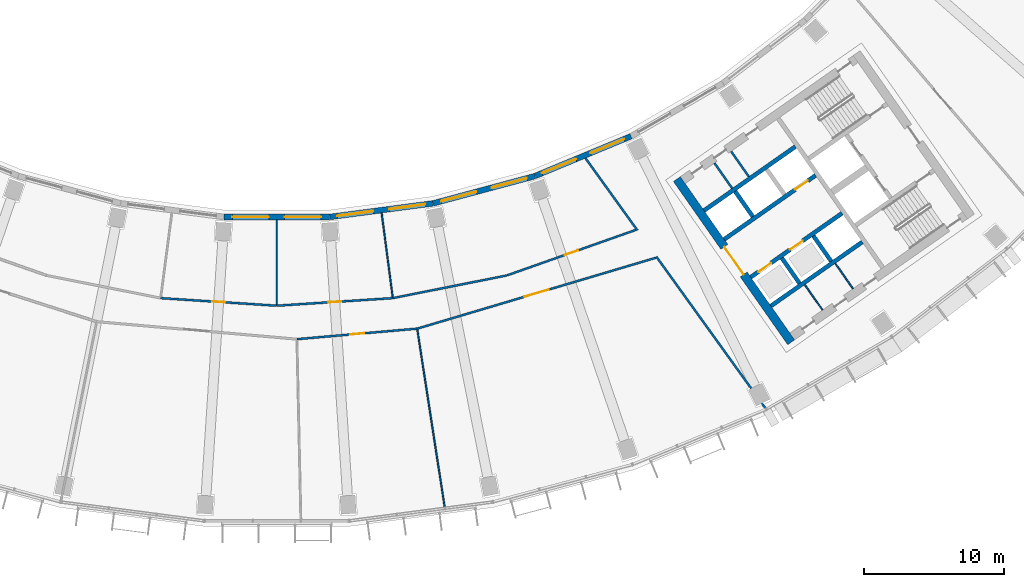
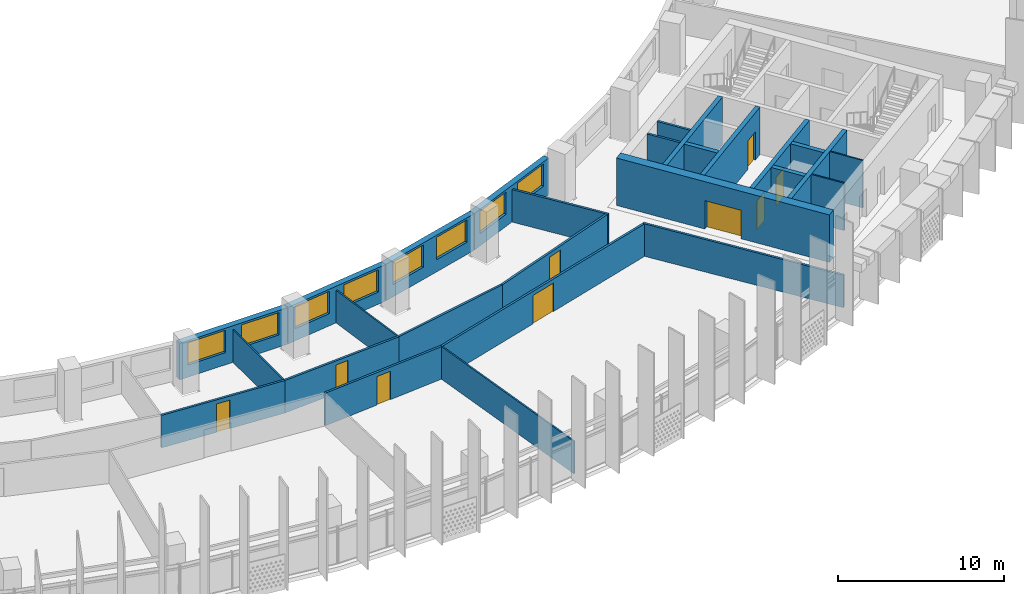
# One storey, part 5 of 31: 27 walls, 9 doors, 8 windows, 17 openings.
"""IFC4 building model written with IfcOpenShell, lengths in metres."""

import ifcopenshell
import ifcopenshell.guid

model = None  # the IFC model being written
_history = None  # IfcOwnerHistory: only IFC2X3 demands one
_inside = {}  # id of a spatial element -> (the spatial element, [elements in it])
_under = {}  # id of a project, library or spatial element -> (it, [spatial elements below it])
_declared = {}  # id of a project -> (the project, [libraries it declares])
_typed = {}  # id of a type object -> (the type object, [elements of that type])
_made_of = {}  # id of a material, layer set ... -> (it, [elements and type objects made of it])


def new_model(schema):
    """Start an empty IFC model of exactly this schema.

    Asked for "IFC4X3", IfcOpenShell would pick the latest addendum, in which some entities
    have other attributes; the version numbers below select the first issue.
    IFC2X3 requires an IfcOwnerHistory on every rooted entity: one is made here for all.
    """
    global model, _history
    if schema == "IFC4X3":
        model = ifcopenshell.file(schema_version=(4, 3, 0, 0))
    else:
        model = ifcopenshell.file(schema=schema)
    _inside.clear()
    _under.clear()
    _declared.clear()
    _typed.clear()
    _made_of.clear()
    _history = None
    if model.schema == "IFC2X3":
        org = make("IfcOrganization", Name="unknown")
        user = make(
            "IfcPersonAndOrganization",
            ThePerson=make("IfcPerson", FamilyName="unknown"),
            TheOrganization=org,
        )
        app = make(
            "IfcApplication",
            ApplicationDeveloper=org,
            Version="unknown",
            ApplicationFullName="unknown",
            ApplicationIdentifier="unknown",
        )
        _history = make(
            "IfcOwnerHistory",
            OwningUser=user,
            OwningApplication=app,
            ChangeAction="ADDED",
            CreationDate=0,
        )
    return model


def make(cls, **values):
    """One entity of the class cls with the attributes given. An attribute that is None is left unset."""
    return model.create_entity(
        cls, **{name: value for name, value in values.items() if value is not None}
    )


def rooted(cls, **values):
    """An entity with a GlobalId (a new one), such as an element, a storey or a relation."""
    return make(cls, GlobalId=ifcopenshell.guid.new(), OwnerHistory=_history, **values)


def si_unit(unit_type, name, prefix=None):
    """IfcSIUnit, for example si_unit("LENGTHUNIT", "METRE", prefix="MILLI")."""
    return make("IfcSIUnit", UnitType=unit_type, Prefix=prefix, Name=name)


def assignment(units):
    """IfcUnitAssignment: the units of a project."""
    return None if units is None else make("IfcUnitAssignment", Units=units)


def point(xyz):
    """IfcCartesianPoint."""
    return None if xyz is None else make("IfcCartesianPoint", Coordinates=xyz)


def direction(xyz):
    """IfcDirection."""
    return None if xyz is None else make("IfcDirection", DirectionRatios=xyz)


def frame(location, z_axis=None, x_axis=None):
    """IfcAxis2Placement3D, a coordinate frame: its origin and axes. An axis left out is left unset."""
    return make(
        "IfcAxis2Placement3D",
        Location=point(location),
        Axis=direction(z_axis),
        RefDirection=direction(x_axis),
    )


def frame_2d(location, x_axis=None):
    """IfcAxis2Placement2D, a coordinate frame in the plane: its origin and x axis."""
    return make(
        "IfcAxis2Placement2D", Location=point(location), RefDirection=direction(x_axis)
    )


def origin():
    """The frame at (0, 0, 0) with its axes left unset."""
    return frame((0.0, 0.0, 0.0))


def place(relative_to, where):
    """IfcLocalPlacement: puts the frame where relative to a parent placement (None: the world)."""
    return make(
        "IfcLocalPlacement", PlacementRelTo=relative_to, RelativePlacement=where
    )


def context(
    kind, dimensions, precision=None, world=None, true_north=None, identifier=None
):
    """IfcGeometricRepresentationContext, for example the 3D "Model" context."""
    return make(
        "IfcGeometricRepresentationContext",
        ContextIdentifier=identifier,
        ContextType=kind,
        CoordinateSpaceDimension=dimensions,
        Precision=precision,
        WorldCoordinateSystem=world,
        TrueNorth=true_north,
    )


def subcontext(parent, identifier, kind, view, scale=None):
    """IfcGeometricRepresentationSubContext, for example "Body" below "Model"."""
    return make(
        "IfcGeometricRepresentationSubContext",
        ContextIdentifier=identifier,
        ContextType=kind,
        ParentContext=parent,
        TargetScale=scale,
        TargetView=view,
    )


def project(units=None, contexts=None):
    """IfcProject with its units and contexts."""
    return rooted(
        "IfcProject",
        Name="project",
        RepresentationContexts=contexts,
        UnitsInContext=assignment(units),
    )


def spatial(cls, under=None, at=None, **own):
    """A site, building, storey or space (cls), placed at a placement, below another one or the project."""
    s = rooted(cls, ObjectPlacement=at, **own)
    if under is not None:
        _under.setdefault(under.id(), (under, []))[1].append(s)
    return s


def profile(cls, at=None, kind="AREA", **sizes):
    """A parametric profile (cls). Its sizes go by their IFC names, for example OverallWidth=200.0."""
    return make(cls, ProfileType=kind, Position=at, **sizes)


def rectangle(**sizes):
    """IfcRectangleProfileDef."""
    return profile("IfcRectangleProfileDef", **sizes)


def extrude(swept, where, along, depth):
    """IfcExtrudedAreaSolid: the profile swept, set in the frame where, extruded along a direction by depth."""
    return make(
        "IfcExtrudedAreaSolid",
        SweptArea=swept,
        Position=where,
        ExtrudedDirection=direction(along),
        Depth=depth,
    )


def shape(context_of_items, identifier, shape_type, items):
    """IfcShapeRepresentation: the items that make up one representation, for example the "Body"."""
    return make(
        "IfcShapeRepresentation",
        ContextOfItems=context_of_items,
        RepresentationIdentifier=identifier,
        RepresentationType=shape_type,
        Items=items,
    )


def material(Name=None, Category=None):
    """IfcMaterial."""
    return make("IfcMaterial", Name=Name, Category=Category)


def layer(
    of_material, thickness, ventilated=None, Name=None, Category=None, Priority=None
):
    """IfcMaterialLayer: one layer of a wall or slab, of a material (None: an air gap)."""
    return make(
        "IfcMaterialLayer",
        Material=of_material,
        LayerThickness=thickness,
        IsVentilated=ventilated,
        Name=Name,
        Category=Category,
        Priority=Priority,
    )


def layer_set(layers, Name=None):
    """IfcMaterialLayerSet."""
    return make("IfcMaterialLayerSet", MaterialLayers=layers, LayerSetName=Name)


def made_of(thing, what):
    """Note that an element or type object is made of a material, layer set ...; save() writes the relation."""
    if what is not None:
        _made_of.setdefault(what.id(), (what, []))[1].append(thing)
    return thing


def type_object(cls, material=None, **own):
    """A type object (cls), such as IfcWallType, which elements share."""
    return made_of(rooted(cls, **own), material)


def element(
    cls,
    number,
    at=None,
    inside=None,
    cuts=None,
    type_object=None,
    material=None,
    context=None,
    identifier="Body",
    shape_type=None,
    held_by="IfcProductDefinitionShape",
    body=None,
    shapes=None,
    **own,
):
    """One element of the class cls, such as IfcWall. Its Tag is "e" and its number.

    at: its placement. inside: the storey or other place that contains it. cuts: it is an
    opening in that element (IfcRelVoidsElement). A single representation is given by context,
    identifier, shape_type and body (its items); several are given by shapes. held_by: the class
    of the entity that holds the representations. save() writes the other relations.
    """
    e = rooted(cls, Tag="e%d" % number, ObjectPlacement=at, **own)
    if body is not None:
        shapes = [shape(context, identifier, shape_type, body)]
    if shapes is not None:
        e.Representation = make(held_by, Representations=shapes)
    if inside is not None:
        _inside.setdefault(inside.id(), (inside, []))[1].append(e)
    if cuts is not None:
        rooted(
            "IfcRelVoidsElement", RelatingBuildingElement=cuts, RelatedOpeningElement=e
        )
    if type_object is not None:
        _typed.setdefault(type_object.id(), (type_object, []))[1].append(e)
    return made_of(e, material)


def fill(opening, filler):
    """IfcRelFillsElement: the door or window that sits in an opening."""
    return rooted(
        "IfcRelFillsElement",
        RelatingOpeningElement=opening,
        RelatedBuildingElement=filler,
    )


def aggregate(whole, parts):
    """IfcRelAggregates: a whole, such as a stair, and the parts it consists of."""
    return rooted("IfcRelAggregates", RelatingObject=whole, RelatedObjects=parts)


def save(model, path):
    """Write the relations noted so far, then the file.

    IfcRelAggregates (storeys below a building ...), IfcRelContainedInSpatialStructure (elements
    in a storey), IfcRelDefinesByType, IfcRelAssociatesMaterial and IfcRelDeclares: one each for
    every whole, place, type object, material and project.
    """
    for whole, parts in _under.values():
        aggregate(whole, parts)
    for where, things in _inside.values():
        rooted(
            "IfcRelContainedInSpatialStructure",
            RelatedElements=things,
            RelatingStructure=where,
        )
    for kind, things in _typed.values():
        rooted("IfcRelDefinesByType", RelatedObjects=things, RelatingType=kind)
    for what, things in _made_of.values():
        rooted("IfcRelAssociatesMaterial", RelatedObjects=things, RelatingMaterial=what)
    for by, libraries in _declared.values():
        rooted("IfcRelDeclares", RelatingContext=by, RelatedDefinitions=libraries)
    model.write(path)


model = new_model("IFC4")

# Units and contexts
model_context = context("Model", 3, precision=1e-05, world=origin(), true_north=direction((0.0, 1.0)))
body_context = subcontext(model_context, "Body", "Model", "MODEL_VIEW")
ifc_project = project(units=[si_unit("LENGTHUNIT", "METRE"), si_unit("AREAUNIT", "SQUARE_METRE"), si_unit("VOLUMEUNIT", "CUBIC_METRE"), si_unit("PLANEANGLEUNIT", "RADIAN"), si_unit("MASSUNIT", "GRAM", prefix="KILO")], contexts=[model_context])

# Site, building, storey
site_placement = place(None, origin())
site = spatial("IfcSite", under=ifc_project, at=site_placement, CompositionType="ELEMENT")
building_placement = place(site_placement, origin())
building = spatial("IfcBuilding", under=site, at=building_placement, Name="Qamariyya Broadcast Tower", CompositionType="ELEMENT")
storey_placement = place(building_placement, frame((0.0, 0.0, 149.300048828125)))
storey = spatial("IfcBuildingStorey", under=building, at=storey_placement, Name="L34", CompositionType="ELEMENT", Elevation=149.300048828125)

# Wall, opening, door
ifc_material_1 = material(Name="Concrete C60/75", Category="concrete")
ifc_layer_1 = layer(ifc_material_1, 0.60009765625)
ifc_layer_set_1 = layer_set([ifc_layer_1], Name="Core wall 600 mm Concrete C60/75")
wall_type_1 = type_object("IfcWallType", Name="Core wall 600 mm Concrete C60/75", PredefinedType="SHEAR", material=ifc_layer_set_1)
wall_1_placement = place(storey_placement, frame((36.66748046875, -66.005126953125, 0.0), z_axis=(0.0, 0.0, 1.0), x_axis=(-0.573568499524, 0.819157601658, 0.0)))
wall_1 = element("IfcWall", 1, at=wall_1_placement, inside=storey, type_object=wall_type_1, Name="k-E-L34-WA", PredefinedType="SHEAR", context=body_context, shape_type="SweptSolid", body=[
    extrude(rectangle(XDim=14.19970703125, YDim=0.60009765625, at=frame_2d((7.099853515625, 0.0))), origin(), (0.0, 0.0, 1.0), 3.5),
])
opening_1_placement = place(wall_1_placement, frame((5.89990234375, 0.0, 0.0)))
opening_1 = element("IfcOpeningElement", 2, at=opening_1_placement, cuts=wall_1, Name="Opening KD3-E1", PredefinedType="OPENING", context=body_context, shape_type="SweptSolid", body=[
    extrude(rectangle(XDim=2.39990234375, YDim=2.10009765625, at=frame_2d((1.199951171875, 1.050048828125))), frame((0.0, 0.31005859375, 0.0), z_axis=(0.0, -1.0, 0.0), x_axis=(1.0, 0.0, 0.0)), (0.0, 0.0, 1.0), 0.6201171875),
])
ifc_material_2 = material(Name="Steel fire-resisting door leaf", Category="steel")
door_type_1 = type_object("IfcDoorType", Name="Lift lobby door KD3", OperationType="DOUBLE_DOOR_SINGLE_SWING", PredefinedType="DOOR", material=ifc_material_2)
door_1_placement = place(opening_1_placement, origin())
door_1 = element("IfcDoor", 3, at=door_1_placement, inside=storey, type_object=door_type_1, Name="k-E-L34-WA-D1", OperationType="DOUBLE_DOOR_SINGLE_SWING", OverallHeight=2.10009765625, OverallWidth=2.39990234375, PredefinedType="DOOR", context=body_context, shape_type="SweptSolid", body=[
    extrude(rectangle(XDim=2.39990234375, YDim=2.10009765625, at=frame_2d((1.199951171875, 1.050048828125))), frame((0.0, 0.02490234375, 0.0), z_axis=(0.0, -1.0, 0.0), x_axis=(1.0, 0.0, 0.0)), (0.0, 0.0, 1.0), 0.050048828125),
])
fill(opening_1, door_1)

ifc_material_3 = material(Name="Gypsum board partition")
ifc_layer_2 = layer(ifc_material_3, 0.14990234375)
ifc_layer_set_2 = layer_set([ifc_layer_2], Name="Corridor partition 150 EI 60")
wall_type_2 = type_object("IfcWallType", Name="Corridor partition 150 EI 60", PredefinedType="PARTITIONING", material=ifc_layer_set_2)
wall_2_placement = place(storey_placement, frame((-8.275390625, -62.857666015625, 0.0), z_axis=(0.0, 0.0, 1.0), x_axis=(0.997860193426, -0.065383747038, 0.0)))
wall_2 = element("IfcWall", 4, at=wall_2_placement, inside=storey, type_object=wall_type_2, Name="Partition L34-009", PredefinedType="PARTITIONING", context=body_context, shape_type="SweptSolid", body=[
    extrude(rectangle(XDim=8.293212890625, YDim=0.14990234375, at=frame_2d((4.146484375, 0.0))), origin(), (0.0, 0.0, 1.0), 2.39990234375),
])
opening_2_placement = place(wall_2_placement, frame((3.696533203125, 0.0, 0.0)))
opening_2 = element("IfcOpeningElement", 5, at=opening_2_placement, cuts=wall_2, Name="Opening L34-D06", PredefinedType="OPENING", context=body_context, shape_type="SweptSolid", body=[
    extrude(rectangle(XDim=0.89990234375, YDim=2.10009765625, at=frame_2d((0.449951171875, 1.050048828125))), frame((0.0, 0.0849609375, 0.0), z_axis=(0.0, -1.0, 0.0), x_axis=(1.0, 0.0, 0.0)), (0.0, 0.0, 1.0), 0.169921875),
])
ifc_material_4 = material(Name="Timber fire door leaf", Category="wood")
door_type_2 = type_object("IfcDoorType", Name="Fire door 900 x 2100 FD60", OperationType="NOTDEFINED", PredefinedType="DOOR", material=ifc_material_4)
door_2_placement = place(opening_2_placement, origin())
door_2 = element("IfcDoor", 6, at=door_2_placement, inside=storey, type_object=door_type_2, Name="Door L34-D06", OperationType="SINGLE_SWING_RIGHT", OverallHeight=2.10009765625, OverallWidth=0.89990234375, PredefinedType="DOOR", context=body_context, shape_type="SweptSolid", body=[
    extrude(rectangle(XDim=0.89990234375, YDim=2.10009765625, at=frame_2d((0.449951171875, 1.050048828125))), frame((0.0, 0.02490234375, 0.0), z_axis=(0.0, -1.0, 0.0), x_axis=(1.0, 0.0, 0.0)), (0.0, 0.0, 1.0), 0.050048828125),
])
fill(opening_2, door_2)

wall_3_placement = place(storey_placement, frame((0.0, -63.39990234375, 0.0), z_axis=(0.0, 0.0, 1.0), x_axis=(0.997860193426, 0.065383747038, 0.0)))
wall_3 = element("IfcWall", 7, at=wall_3_placement, inside=storey, type_object=wall_type_2, Name="Partition L34-011", PredefinedType="PARTITIONING", context=body_context, shape_type="SweptSolid", body=[
    extrude(rectangle(XDim=8.293212890625, YDim=0.14990234375, at=frame_2d((4.146484375, 0.0))), origin(), (0.0, 0.0, 1.0), 2.39990234375),
])
opening_3_placement = place(wall_3_placement, frame((3.696533203125, 0.0, 0.0)))
opening_3 = element("IfcOpeningElement", 8, at=opening_3_placement, cuts=wall_3, Name="Opening L34-D07", PredefinedType="OPENING", context=body_context, shape_type="SweptSolid", body=[
    extrude(rectangle(XDim=0.89990234375, YDim=2.10009765625, at=frame_2d((0.449951171875, 1.050048828125))), frame((0.0, 0.0849609375, 0.0), z_axis=(0.0, -1.0, 0.0), x_axis=(1.0, 0.0, 0.0)), (0.0, 0.0, 1.0), 0.169921875),
])
door_3_placement = place(opening_3_placement, origin())
door_3 = element("IfcDoor", 9, at=door_3_placement, inside=storey, type_object=door_type_2, Name="Door L34-D07", OperationType="SINGLE_SWING_RIGHT", OverallHeight=2.10009765625, OverallWidth=0.89990234375, PredefinedType="DOOR", context=body_context, shape_type="SweptSolid", body=[
    extrude(rectangle(XDim=0.89990234375, YDim=2.10009765625, at=frame_2d((0.449951171875, 1.050048828125))), frame((0.0, 0.02490234375, 0.0), z_axis=(0.0, -1.0, 0.0), x_axis=(1.0, 0.0, 0.0)), (0.0, 0.0, 1.0), 0.050048828125),
])
fill(opening_3, door_3)

wall_4_placement = place(storey_placement, frame((10.011474609375, -65.033935546875, 0.0), z_axis=(0.0, 0.0, 1.0), x_axis=(-0.996193717496, -0.087166950281, 0.0)))
wall_4 = element("IfcWall", 10, at=wall_4_placement, inside=storey, type_object=wall_type_2, Name="Partition L34-013", PredefinedType="PARTITIONING", context=body_context, shape_type="SweptSolid", body=[
    extrude(rectangle(XDim=8.60693359375, YDim=0.14990234375, at=frame_2d((4.303466796875, 0.0))), origin(), (0.0, 0.0, 1.0), 2.39990234375),
])
opening_4_placement = place(wall_4_placement, frame((3.803466796875, 0.0, 0.0)))
opening_4 = element("IfcOpeningElement", 11, at=opening_4_placement, cuts=wall_4, Name="Opening L34-D03", PredefinedType="OPENING", context=body_context, shape_type="SweptSolid", body=[
    extrude(rectangle(XDim=1.0, YDim=2.10009765625, at=frame_2d((0.5, 1.050048828125))), frame((0.0, 0.0849609375, 0.0), z_axis=(0.0, -1.0, 0.0), x_axis=(1.0, 0.0, 0.0)), (0.0, 0.0, 1.0), 0.169921875),
])
door_type_3 = type_object("IfcDoorType", Name="Fire door 1000 x 2100 FD60", OperationType="NOTDEFINED", PredefinedType="DOOR", material=ifc_material_4)
door_4_placement = place(opening_4_placement, origin())
door_4 = element("IfcDoor", 12, at=door_4_placement, inside=storey, type_object=door_type_3, Name="Door L34-D03", OperationType="SINGLE_SWING_RIGHT", OverallHeight=2.10009765625, OverallWidth=1.0, PredefinedType="DOOR", context=body_context, shape_type="SweptSolid", body=[
    extrude(rectangle(XDim=1.0, YDim=2.10009765625, at=frame_2d((0.5, 1.050048828125))), frame((0.0, 0.02490234375, 0.0), z_axis=(0.0, -1.0, 0.0), x_axis=(1.0, 0.0, 0.0)), (0.0, 0.0, 1.0), 0.050048828125),
])
fill(opening_4, door_4)

# Wall
wall_5_placement = place(storey_placement, frame((8.275390625, -62.857666015625, 0.0), z_axis=(0.0, 0.0, 1.0), x_axis=(0.980780777209, 0.195112959735, 0.0)))
element("IfcWall", 13, at=wall_5_placement, inside=storey, type_object=wall_type_2, Name="Partition L34-016", PredefinedType="PARTITIONING", context=body_context, shape_type="SweptSolid", body=[
    extrude(rectangle(XDim=8.28466796875, YDim=0.14990234375, at=frame_2d((4.142333984375, 0.0))), origin(), (0.0, 0.0, 1.0), 2.39990234375),
])

# Wall, opening, door
wall_6_placement = place(storey_placement, frame((27.02880859375, -59.981201171875, 0.0), z_axis=(0.0, 0.0, 1.0), x_axis=(-0.958635901926, -0.284635218373, 0.0)))
wall_6 = element("IfcWall", 14, at=wall_6_placement, inside=storey, type_object=wall_type_2, Name="Partition L34-017", PredefinedType="PARTITIONING", context=body_context, shape_type="SweptSolid", body=[
    extrude(rectangle(XDim=17.751708984375, YDim=0.14990234375, at=frame_2d((8.8759765625, 0.0))), origin(), (0.0, 0.0, 1.0), 2.39990234375),
])
opening_5_placement = place(wall_6_placement, frame((7.975830078125, 0.0, 0.0)))
opening_5 = element("IfcOpeningElement", 15, at=opening_5_placement, cuts=wall_6, Name="Opening L34-D04", PredefinedType="OPENING", context=body_context, shape_type="SweptSolid", body=[
    extrude(rectangle(XDim=1.800048828125, YDim=2.10009765625, at=frame_2d((0.89990234375, 1.050048828125))), frame((0.0, 0.0849609375, 0.0), z_axis=(0.0, -1.0, 0.0), x_axis=(1.0, 0.0, 0.0)), (0.0, 0.0, 1.0), 0.169921875),
])
door_type_4 = type_object("IfcDoorType", Name="Double fire door 1800 x 2100 FD60", OperationType="NOTDEFINED", PredefinedType="DOOR", material=ifc_material_4)
door_5_placement = place(opening_5_placement, origin())
door_5 = element("IfcDoor", 16, at=door_5_placement, inside=storey, type_object=door_type_4, Name="Door L34-D04", OperationType="DOUBLE_DOOR_SINGLE_SWING", OverallHeight=2.10009765625, OverallWidth=1.800048828125, PredefinedType="DOOR", context=body_context, shape_type="SweptSolid", body=[
    extrude(rectangle(XDim=1.800048828125, YDim=2.10009765625, at=frame_2d((0.89990234375, 1.050048828125))), frame((0.0, 0.02490234375, 0.0), z_axis=(0.0, -1.0, 0.0), x_axis=(1.0, 0.0, 0.0)), (0.0, 0.0, 1.0), 0.050048828125),
])
fill(opening_5, door_5)

wall_7_placement = place(storey_placement, frame((16.4169921875, -61.23681640625, 0.0), z_axis=(0.0, 0.0, 1.0), x_axis=(0.942982926679, 0.332841103219, 0.0)))
wall_7 = element("IfcWall", 17, at=wall_7_placement, inside=storey, type_object=wall_type_2, Name="Partition L34-019", PredefinedType="PARTITIONING", context=body_context, shape_type="SweptSolid", body=[
    extrude(rectangle(XDim=9.736572265625, YDim=0.14990234375, at=frame_2d((4.8681640625, 0.0))), origin(), (0.0, 0.0, 1.0), 2.39990234375),
])
opening_6_placement = place(wall_7_placement, frame((4.368408203125, 0.0, 0.0)))
opening_6 = element("IfcOpeningElement", 18, at=opening_6_placement, cuts=wall_7, Name="Opening L34-D08", PredefinedType="OPENING", context=body_context, shape_type="SweptSolid", body=[
    extrude(rectangle(XDim=1.0, YDim=2.10009765625, at=frame_2d((0.5, 1.050048828125))), frame((0.0, 0.0849609375, 0.0), z_axis=(0.0, -1.0, 0.0), x_axis=(1.0, 0.0, 0.0)), (0.0, 0.0, 1.0), 0.169921875),
])
door_6_placement = place(opening_6_placement, origin())
door_6 = element("IfcDoor", 19, at=door_6_placement, inside=storey, type_object=door_type_3, Name="Door L34-D08", OperationType="SINGLE_SWING_RIGHT", OverallHeight=2.10009765625, OverallWidth=1.0, PredefinedType="DOOR", context=body_context, shape_type="SweptSolid", body=[
    extrude(rectangle(XDim=1.0, YDim=2.10009765625, at=frame_2d((0.5, 1.050048828125))), frame((0.0, 0.02490234375, 0.0), z_axis=(0.0, -1.0, 0.0), x_axis=(1.0, 0.0, 0.0)), (0.0, 0.0, 1.0), 0.050048828125),
])
fill(opening_6, door_6)

# Walls
wall_8_placement = place(storey_placement, frame((22.0, -52.873046875, 0.0), z_axis=(0.0, 0.0, 1.0), x_axis=(0.58417014289, -0.811631224236, 0.0)))
element("IfcWall", 20, at=wall_8_placement, inside=storey, type_object=wall_type_2, Name="Partition L34-020", PredefinedType="PARTITIONING", context=body_context, shape_type="SweptSolid", body=[
    extrude(rectangle(XDim=6.356201171875, YDim=0.14990234375, at=frame_2d((3.17822265625, 0.0))), origin(), (0.0, 0.0, 1.0), 2.39990234375),
])
wall_9_placement = place(storey_placement, frame((27.056884765625, -59.899169921875, 0.0), z_axis=(0.0, 0.0, 1.0), x_axis=(0.584166374063, -0.81163393683, 0.0)))
element("IfcWall", 21, at=wall_9_placement, inside=storey, type_object=wall_type_2, Name="Partition L34-021", PredefinedType="PARTITIONING", context=body_context, shape_type="SweptSolid", body=[
    extrude(rectangle(XDim=13.296142578125, YDim=0.14990234375, at=frame_2d((6.64794921875, 0.0))), origin(), (0.0, 0.0, 1.0), 2.39990234375),
])
ifc_material_5 = material(Name="Gypsum board partition on steel studs", Category="steel")
ifc_layer_3 = layer(ifc_material_5, 0.14990234375)
ifc_layer_set_3 = layer_set([ifc_layer_3], Name="Gypsum board partition 150 mm")
wall_type_3 = type_object("IfcWallType", Name="Gypsum board partition 150 mm", PredefinedType="PARTITIONING", material=ifc_layer_set_3)
wall_10_placement = place(storey_placement, frame((32.46337890625, -55.0322265625, 0.0), z_axis=(0.0, 0.0, 1.0), x_axis=(-0.573507030513, 0.819200638399, 0.0)))
element("IfcWall", 22, at=wall_10_placement, inside=storey, type_object=wall_type_3, Name="k-E-L34-NP255", PredefinedType="PARTITIONING", context=body_context, shape_type="SweptSolid", body=[
    extrude(rectangle(XDim=2.199951171875, YDim=0.14990234375, at=frame_2d((1.10009765625, 0.0))), origin(), (0.0, 0.0, 1.0), 3.5),
])
wall_11_placement = place(storey_placement, frame((33.651123046875, -54.200439453125, 0.0), z_axis=(0.0, 0.0, 1.0), x_axis=(-0.573559170999, 0.819164133348, 0.0)))
element("IfcWall", 23, at=wall_11_placement, inside=storey, type_object=wall_type_3, Name="k-E-L34-NP400", PredefinedType="PARTITIONING", context=body_context, shape_type="SweptSolid", body=[
    extrude(rectangle(XDim=2.19970703125, YDim=0.14990234375, at=frame_2d((1.099853515625, 0.0))), origin(), (0.0, 0.0, 1.0), 3.5),
])

# Wall, opening, door
ifc_layer_4 = layer(ifc_material_1, 0.300048828125)
ifc_layer_set_4 = layer_set([ifc_layer_4], Name="Lift shaft wall 300 mm Concrete C60/75")
wall_type_4 = type_object("IfcWallType", Name="Lift shaft wall 300 mm Concrete C60/75", PredefinedType="SOLIDWALL", material=ifc_layer_set_4)
wall_12_placement = place(storey_placement, frame((31.89453125, -58.66552734375, 0.0), z_axis=(0.0, 0.0, 1.0), x_axis=(0.819166993208, 0.573555086491, 0.0)))
wall_12 = element("IfcWall", 24, at=wall_12_placement, inside=storey, type_object=wall_type_4, Name="k-E-L34-NF0", PredefinedType="SOLIDWALL", context=body_context, shape_type="SweptSolid", body=[
    extrude(rectangle(XDim=7.9501953125, YDim=0.300048828125, at=frame_2d((3.97509765625, 0.0))), origin(), (0.0, 0.0, 1.0), 3.5),
])
opening_7_placement = place(wall_12_placement, frame((6.175048828125, 0.0, 0.0)))
opening_7 = element("IfcOpeningElement", 25, at=opening_7_placement, cuts=wall_12, Name="Opening LD", PredefinedType="OPENING", context=body_context, shape_type="SweptSolid", body=[
    extrude(rectangle(XDim=1.10009765625, YDim=2.10009765625, at=frame_2d((0.550048828125, 1.050048828125))), frame((0.0, 0.159912109375, 0.0), z_axis=(0.0, -1.0, 0.0), x_axis=(1.0, 0.0, 0.0)), (0.0, 0.0, 1.0), 0.320068359375),
])
door_type_5 = type_object("IfcDoorType", Name="Lift landing door LD", OperationType="DOUBLE_DOOR_SLIDING", PredefinedType="DOOR", material=ifc_material_2)
door_7_placement = place(opening_7_placement, origin())
door_7 = element("IfcDoor", 26, at=door_7_placement, inside=storey, type_object=door_type_5, Name="k-E-L34-NF0-D2", OperationType="DOUBLE_DOOR_SLIDING", OverallHeight=2.10009765625, OverallWidth=1.10009765625, PredefinedType="DOOR", context=body_context, shape_type="SweptSolid", body=[
    extrude(rectangle(XDim=1.10009765625, YDim=2.10009765625, at=frame_2d((0.550048828125, 1.050048828125))), frame((0.0, 0.02490234375, 0.0), z_axis=(0.0, -1.0, 0.0), x_axis=(1.0, 0.0, 0.0)), (0.0, 0.0, 1.0), 0.050048828125),
])
fill(opening_7, door_7)

# Walls
wall_13_placement = place(storey_placement, frame((30.460693359375, -56.61767578125, 0.0), z_axis=(0.0, 0.0, 1.0), x_axis=(0.819142461705, 0.573590121456, 0.0)))
element("IfcWall", 27, at=wall_13_placement, inside=storey, type_object=wall_type_4, Name="k-E-L34-NB0", PredefinedType="SOLIDWALL", context=body_context, shape_type="SweptSolid", body=[
    extrude(rectangle(XDim=7.949951171875, YDim=0.300048828125, at=frame_2d((3.97509765625, 0.0))), origin(), (0.0, 0.0, 1.0), 3.5),
])
wall_14_placement = place(storey_placement, frame((33.9384765625, -57.051513671875, 0.0), z_axis=(0.0, 0.0, 1.0), x_axis=(-0.573581496053, 0.819148501424, 0.0)))
element("IfcWall", 28, at=wall_14_placement, inside=storey, type_object=wall_type_4, Name="k-E-L34-ND0", PredefinedType="SOLIDWALL", context=body_context, shape_type="SweptSolid", body=[
    extrude(rectangle(XDim=2.2001953125, YDim=0.300048828125, at=frame_2d((1.10009765625, 0.0))), origin(), (0.0, 0.0, 1.0), 3.5),
])

# Wall, openings, doors
wall_15_placement = place(storey_placement, frame((33.787353515625, -61.368896484375, 0.0), z_axis=(0.0, 0.0, 1.0), x_axis=(0.819152564888, 0.573575692858, 0.0)))
wall_15 = element("IfcWall", 29, at=wall_15_placement, inside=storey, type_object=wall_type_4, Name="k-E-L34-SF0", PredefinedType="SOLIDWALL", context=body_context, shape_type="SweptSolid", body=[
    extrude(rectangle(XDim=7.9501953125, YDim=0.300048828125, at=frame_2d((3.97509765625, 0.0))), origin(), (0.0, 0.0, 1.0), 3.5),
])
opening_8_placement = place(wall_15_placement, frame((0.675048828125, 0.0, 0.0)))
opening_8 = element("IfcOpeningElement", 30, at=opening_8_placement, cuts=wall_15, Name="Opening LD", PredefinedType="OPENING", context=body_context, shape_type="SweptSolid", body=[
    extrude(rectangle(XDim=1.10009765625, YDim=2.10009765625, at=frame_2d((0.550048828125, 1.050048828125))), frame((0.0, 0.159912109375, 0.0), z_axis=(0.0, -1.0, 0.0), x_axis=(1.0, 0.0, 0.0)), (0.0, 0.0, 1.0), 0.320068359375),
])
opening_9_placement = place(wall_15_placement, frame((3.425048828125, 0.0, 0.0)))
opening_9 = element("IfcOpeningElement", 31, at=opening_9_placement, cuts=wall_15, Name="Opening LD", PredefinedType="OPENING", context=body_context, shape_type="SweptSolid", body=[
    extrude(rectangle(XDim=1.10009765625, YDim=2.10009765625, at=frame_2d((0.550048828125, 1.050048828125))), frame((0.0, 0.159912109375, 0.0), z_axis=(0.0, -1.0, 0.0), x_axis=(1.0, 0.0, 0.0)), (0.0, 0.0, 1.0), 0.320068359375),
])
door_8_placement = place(opening_8_placement, origin())
door_8 = element("IfcDoor", 32, at=door_8_placement, inside=storey, type_object=door_type_5, Name="k-E-L34-SF0-D3", OperationType="DOUBLE_DOOR_SLIDING", OverallHeight=2.10009765625, OverallWidth=1.10009765625, PredefinedType="DOOR", context=body_context, shape_type="SweptSolid", body=[
    extrude(rectangle(XDim=1.10009765625, YDim=2.10009765625, at=frame_2d((0.550048828125, 1.050048828125))), frame((0.0, 0.02490234375, 0.0), z_axis=(0.0, -1.0, 0.0), x_axis=(1.0, 0.0, 0.0)), (0.0, 0.0, 1.0), 0.050048828125),
])
fill(opening_8, door_8)
door_9_placement = place(opening_9_placement, origin())
door_9 = element("IfcDoor", 33, at=door_9_placement, inside=storey, type_object=door_type_5, Name="k-E-L34-SF0-D4", OperationType="DOUBLE_DOOR_SLIDING", OverallHeight=2.10009765625, OverallWidth=1.10009765625, PredefinedType="DOOR", context=body_context, shape_type="SweptSolid", body=[
    extrude(rectangle(XDim=1.10009765625, YDim=2.10009765625, at=frame_2d((0.550048828125, 1.050048828125))), frame((0.0, 0.02490234375, 0.0), z_axis=(0.0, -1.0, 0.0), x_axis=(1.0, 0.0, 0.0)), (0.0, 0.0, 1.0), 0.050048828125),
])
fill(opening_9, door_9)

# Walls
wall_16_placement = place(storey_placement, frame((35.22119140625, -63.41650390625, 0.0), z_axis=(0.0, 0.0, 1.0), x_axis=(0.819166993208, 0.573555086491, 0.0)))
element("IfcWall", 34, at=wall_16_placement, inside=storey, type_object=wall_type_4, Name="k-E-L34-SB0", PredefinedType="SOLIDWALL", context=body_context, shape_type="SweptSolid", body=[
    extrude(rectangle(XDim=7.9501953125, YDim=0.300048828125, at=frame_2d((3.97509765625, 0.0))), origin(), (0.0, 0.0, 1.0), 3.5),
])
wall_17_placement = place(storey_placement, frame((36.003173828125, -60.000244140625, 0.0), z_axis=(0.0, 0.0, 1.0), x_axis=(0.573581496053, -0.819148501424, 0.0)))
element("IfcWall", 35, at=wall_17_placement, inside=storey, type_object=wall_type_4, Name="k-E-L34-SD0", PredefinedType="SOLIDWALL", context=body_context, shape_type="SweptSolid", body=[
    extrude(rectangle(XDim=2.2001953125, YDim=0.300048828125, at=frame_2d((1.10009765625, 0.0))), origin(), (0.0, 0.0, 1.0), 3.5),
])
wall_18_placement = place(storey_placement, frame((38.255859375, -58.423095703125, 0.0), z_axis=(0.0, 0.0, 1.0), x_axis=(0.573633636671, -0.819111989218, 0.0)))
element("IfcWall", 36, at=wall_18_placement, inside=storey, type_object=wall_type_4, Name="k-E-L34-SD1", PredefinedType="SOLIDWALL", context=body_context, shape_type="SweptSolid", body=[
    extrude(rectangle(XDim=2.199951171875, YDim=0.300048828125, at=frame_2d((1.10009765625, 0.0))), origin(), (0.0, 0.0, 1.0), 3.5),
])
ifc_layer_5 = layer(ifc_material_3, 0.10009765625)
ifc_layer_set_5 = layer_set([ifc_layer_5], Name="Partition 100")
wall_type_5 = type_object("IfcWallType", Name="Partition 100", PredefinedType="PARTITIONING", material=ifc_layer_set_5)
wall_19_placement = place(storey_placement, frame((0.0, -57.278076171875, 0.0), z_axis=(0.0, 0.0, 1.0), x_axis=(0.0, -1.0, 0.0)))
element("IfcWall", 37, at=wall_19_placement, inside=storey, type_object=wall_type_5, Name="Partition L34-012", PredefinedType="PARTITIONING", context=body_context, shape_type="SweptSolid", body=[
    extrude(rectangle(XDim=6.046875, YDim=0.10009765625, at=frame_2d((3.0234375, 0.0))), origin(), (0.0, 0.0, 1.0), 2.39990234375),
])
wall_20_placement = place(storey_placement, frame((7.476318359375, -56.787841796875, 0.0), z_axis=(0.0, 0.0, 1.0), x_axis=(0.130526573864, -0.991444811129, 0.0)))
element("IfcWall", 38, at=wall_20_placement, inside=storey, type_object=wall_type_5, Name="Partition L34-015", PredefinedType="PARTITIONING", context=body_context, shape_type="SweptSolid", body=[
    extrude(rectangle(XDim=6.047119140625, YDim=0.10009765625, at=frame_2d((3.0234375, 0.0))), origin(), (0.0, 0.0, 1.0), 2.39990234375),
])
wall_21_placement = place(storey_placement, frame((11.966552734375, -77.73388671875, 0.0), z_axis=(0.0, 0.0, 1.0), x_axis=(-0.152147660046, 0.988357774059, 0.0)))
element("IfcWall", 39, at=wall_21_placement, inside=storey, type_object=wall_type_5, Name="Partition L34-018", PredefinedType="PARTITIONING", context=body_context, shape_type="SweptSolid", body=[
    extrude(rectangle(XDim=12.7744140625, YDim=0.10009765625, at=frame_2d((6.38720703125, 0.0))), origin(), (0.0, 0.0, 1.0), 2.39990234375),
])
ifc_material_6 = material(Name="Fire-rated gypsum shaft liner on steel studs", Category="steel")
ifc_layer_6 = layer(ifc_material_6, 0.10009765625)
ifc_layer_set_6 = layer_set([ifc_layer_6], Name="Riser wall 100 mm")
wall_type_6 = type_object("IfcWallType", Name="Riser wall 100 mm", PredefinedType="PLUMBINGWALL", material=ifc_layer_set_6)
wall_22_placement = place(storey_placement, frame((37.64208984375, -61.90478515625, 0.0), z_axis=(0.0, 0.0, 1.0), x_axis=(0.573507030513, -0.819200638399, 0.0)))
element("IfcWall", 40, at=wall_22_placement, inside=storey, type_object=wall_type_6, Name="k-E-L34-SP285", PredefinedType="PLUMBINGWALL", context=body_context, shape_type="SweptSolid", body=[
    extrude(rectangle(XDim=2.199951171875, YDim=0.10009765625, at=frame_2d((1.10009765625, 0.0))), origin(), (0.0, 0.0, 1.0), 3.5),
])
wall_23_placement = place(storey_placement, frame((39.812744140625, -60.384765625, 0.0), z_axis=(0.0, 0.0, 1.0), x_axis=(0.573581496053, -0.819148501424, 0.0)))
element("IfcWall", 41, at=wall_23_placement, inside=storey, type_object=wall_type_6, Name="k-E-L34-SP550", PredefinedType="PLUMBINGWALL", context=body_context, shape_type="SweptSolid", body=[
    extrude(rectangle(XDim=2.2001953125, YDim=0.10009765625, at=frame_2d((1.10009765625, 0.0))), origin(), (0.0, 0.0, 1.0), 3.5),
])

# Wall, openings, windows
ifc_material_7 = material(Name="Terracotta", Category="masonry")
ifc_layer_7 = layer(ifc_material_7, 0.39990234375)
ifc_layer_set_7 = layer_set([ifc_layer_7], Name="Terracotta clad wall 400")
wall_type_7 = type_object("IfcWallType", Name="Terracotta clad wall 400", PredefinedType="SOLIDWALL", material=ifc_layer_set_7)
wall_24_placement = place(storey_placement, frame((25.252197265625, -51.32080078125, 0.0), z_axis=(0.0, 0.0, 1.0), x_axis=(-0.923867659443, -0.382712095229, 0.0)))
wall_24 = element("IfcWall", 42, at=wall_24_placement, inside=storey, type_object=wall_type_7, Name="e-wl-L34-in100", PredefinedType="SOLIDWALL", context=body_context, shape_type="SweptSolid", body=[
    extrude(rectangle(XDim=7.380859375, YDim=0.39990234375, at=frame_2d((3.6904296875, 0.0))), origin(), (0.0, 0.0, 1.0), 2.699951171875),
])
opening_10_placement = place(wall_24_placement, frame((4.25439453125, 0.0, 0.89990234375)))
opening_10 = element("IfcOpeningElement", 43, at=opening_10_placement, cuts=wall_24, Name="Opening W1", PredefinedType="OPENING", context=body_context, shape_type="SweptSolid", body=[
    extrude(rectangle(XDim=2.60009765625, YDim=1.64990234375, at=frame_2d((1.300048828125, 0.824951171875))), frame((0.0, 0.2099609375, 0.0), z_axis=(0.0, -1.0, 0.0), x_axis=(1.0, 0.0, 0.0)), (0.0, 0.0, 1.0), 0.419921875),
])
opening_11_placement = place(wall_24_placement, frame((0.5263671875, 0.0, 0.89990234375)))
opening_11 = element("IfcOpeningElement", 44, at=opening_11_placement, cuts=wall_24, Name="Opening W1", PredefinedType="OPENING", context=body_context, shape_type="SweptSolid", body=[
    extrude(rectangle(XDim=2.60009765625, YDim=1.64990234375, at=frame_2d((1.300048828125, 0.824951171875))), frame((0.0, 0.2099609375, 0.0), z_axis=(0.0, -1.0, 0.0), x_axis=(1.0, 0.0, 0.0)), (0.0, 0.0, 1.0), 0.419921875),
])
ifc_material_8 = material(Name="Clear low-e double glazed unit in aluminium frame", Category="aluminium")
window_type = type_object("IfcWindowType", Name="Ribbon window 2600 x 1650", PartitioningType="SINGLE_PANEL", PredefinedType="WINDOW", material=ifc_material_8)
window_1_placement = place(opening_10_placement, origin())
window_1 = element("IfcWindow", 45, at=window_1_placement, inside=storey, type_object=window_type, Name="e-w-L34-in10-0", OverallHeight=1.64990234375, OverallWidth=2.60009765625, PartitioningType="SINGLE_PANEL", PredefinedType="WINDOW", context=body_context, shape_type="SweptSolid", body=[
    extrude(rectangle(XDim=2.60009765625, YDim=1.64990234375, at=frame_2d((1.300048828125, 0.824951171875))), frame((0.0, 0.030029296875, 0.0), z_axis=(0.0, -1.0, 0.0), x_axis=(1.0, 0.0, 0.0)), (0.0, 0.0, 1.0), 0.06005859375),
])
fill(opening_10, window_1)
window_2_placement = place(opening_11_placement, origin())
window_2 = element("IfcWindow", 46, at=window_2_placement, inside=storey, type_object=window_type, Name="e-w-L34-in10-1", OverallHeight=1.64990234375, OverallWidth=2.60009765625, PartitioningType="SINGLE_PANEL", PredefinedType="WINDOW", context=body_context, shape_type="SweptSolid", body=[
    extrude(rectangle(XDim=2.60009765625, YDim=1.64990234375, at=frame_2d((1.300048828125, 0.824951171875))), frame((0.0, 0.030029296875, 0.0), z_axis=(0.0, -1.0, 0.0), x_axis=(1.0, 0.0, 0.0)), (0.0, 0.0, 1.0), 0.06005859375),
])
fill(opening_11, window_2)

wall_25_placement = place(storey_placement, frame((3.76611328125, -57.077880859375, 0.0), z_axis=(0.0, 0.0, 1.0), x_axis=(-1.0, 0.0, 0.0)))
wall_25 = element("IfcWall", 47, at=wall_25_placement, inside=storey, type_object=wall_type_7, Name="e-wl-L34-in70", PredefinedType="SOLIDWALL", context=body_context, shape_type="SweptSolid", body=[
    extrude(rectangle(XDim=7.5322265625, YDim=0.39990234375, at=frame_2d((3.76611328125, 0.0))), origin(), (0.0, 0.0, 1.0), 2.699951171875),
])
opening_12_placement = place(wall_25_placement, frame((4.330078125, 0.0, 0.89990234375)))
opening_12 = element("IfcOpeningElement", 48, at=opening_12_placement, cuts=wall_25, Name="Opening W1", PredefinedType="OPENING", context=body_context, shape_type="SweptSolid", body=[
    extrude(rectangle(XDim=2.60009765625, YDim=1.64990234375, at=frame_2d((1.300048828125, 0.824951171875))), frame((0.0, 0.2099609375, 0.0), z_axis=(0.0, -1.0, 0.0), x_axis=(1.0, 0.0, 0.0)), (0.0, 0.0, 1.0), 0.419921875),
])
opening_13_placement = place(wall_25_placement, frame((0.60205078125, 0.0, 0.89990234375)))
opening_13 = element("IfcOpeningElement", 49, at=opening_13_placement, cuts=wall_25, Name="Opening W1", PredefinedType="OPENING", context=body_context, shape_type="SweptSolid", body=[
    extrude(rectangle(XDim=2.60009765625, YDim=1.64990234375, at=frame_2d((1.300048828125, 0.824951171875))), frame((0.0, 0.2099609375, 0.0), z_axis=(0.0, -1.0, 0.0), x_axis=(1.0, 0.0, 0.0)), (0.0, 0.0, 1.0), 0.419921875),
])
window_3_placement = place(opening_12_placement, origin())
window_3 = element("IfcWindow", 50, at=window_3_placement, inside=storey, type_object=window_type, Name="e-w-L34-in07-0", OverallHeight=1.64990234375, OverallWidth=2.60009765625, PartitioningType="SINGLE_PANEL", PredefinedType="WINDOW", context=body_context, shape_type="SweptSolid", body=[
    extrude(rectangle(XDim=2.60009765625, YDim=1.64990234375, at=frame_2d((1.300048828125, 0.824951171875))), frame((0.0, 0.030029296875, 0.0), z_axis=(0.0, -1.0, 0.0), x_axis=(1.0, 0.0, 0.0)), (0.0, 0.0, 1.0), 0.06005859375),
])
fill(opening_12, window_3)
window_4_placement = place(opening_13_placement, origin())
window_4 = element("IfcWindow", 51, at=window_4_placement, inside=storey, type_object=window_type, Name="e-w-L34-in07-1", OverallHeight=1.64990234375, OverallWidth=2.60009765625, PartitioningType="SINGLE_PANEL", PredefinedType="WINDOW", context=body_context, shape_type="SweptSolid", body=[
    extrude(rectangle(XDim=2.60009765625, YDim=1.64990234375, at=frame_2d((1.300048828125, 0.824951171875))), frame((0.0, 0.030029296875, 0.0), z_axis=(0.0, -1.0, 0.0), x_axis=(1.0, 0.0, 0.0)), (0.0, 0.0, 1.0), 0.06005859375),
])
fill(opening_13, window_4)

wall_26_placement = place(storey_placement, frame((11.10888671875, -56.10791015625, 0.0), z_axis=(0.0, 0.0, 1.0), x_axis=(-0.99144438474, -0.130529812564, 0.0)))
wall_26 = element("IfcWall", 52, at=wall_26_placement, inside=storey, type_object=wall_type_7, Name="e-wl-L34-in80", PredefinedType="SOLIDWALL", context=body_context, shape_type="SweptSolid", body=[
    extrude(rectangle(XDim=7.380615234375, YDim=0.39990234375, at=frame_2d((3.6904296875, 0.0))), origin(), (0.0, 0.0, 1.0), 2.699951171875),
])
opening_14_placement = place(wall_26_placement, frame((4.25439453125, 0.0, 0.89990234375)))
opening_14 = element("IfcOpeningElement", 53, at=opening_14_placement, cuts=wall_26, Name="Opening W1", PredefinedType="OPENING", context=body_context, shape_type="SweptSolid", body=[
    extrude(rectangle(XDim=2.60009765625, YDim=1.64990234375, at=frame_2d((1.300048828125, 0.824951171875))), frame((0.0, 0.2099609375, 0.0), z_axis=(0.0, -1.0, 0.0), x_axis=(1.0, 0.0, 0.0)), (0.0, 0.0, 1.0), 0.419921875),
])
opening_15_placement = place(wall_26_placement, frame((0.5263671875, 0.0, 0.89990234375)))
opening_15 = element("IfcOpeningElement", 54, at=opening_15_placement, cuts=wall_26, Name="Opening W1", PredefinedType="OPENING", context=body_context, shape_type="SweptSolid", body=[
    extrude(rectangle(XDim=2.60009765625, YDim=1.64990234375, at=frame_2d((1.300048828125, 0.824951171875))), frame((0.0, 0.2099609375, 0.0), z_axis=(0.0, -1.0, 0.0), x_axis=(1.0, 0.0, 0.0)), (0.0, 0.0, 1.0), 0.419921875),
])
window_5_placement = place(opening_14_placement, origin())
window_5 = element("IfcWindow", 55, at=window_5_placement, inside=storey, type_object=window_type, Name="e-w-L34-in08-0", OverallHeight=1.64990234375, OverallWidth=2.60009765625, PartitioningType="SINGLE_PANEL", PredefinedType="WINDOW", context=body_context, shape_type="SweptSolid", body=[
    extrude(rectangle(XDim=2.60009765625, YDim=1.64990234375, at=frame_2d((1.300048828125, 0.824951171875))), frame((0.0, 0.030029296875, 0.0), z_axis=(0.0, -1.0, 0.0), x_axis=(1.0, 0.0, 0.0)), (0.0, 0.0, 1.0), 0.06005859375),
])
fill(opening_14, window_5)
window_6_placement = place(opening_15_placement, origin())
window_6 = element("IfcWindow", 56, at=window_6_placement, inside=storey, type_object=window_type, Name="e-w-L34-in08-1", OverallHeight=1.64990234375, OverallWidth=2.60009765625, PartitioningType="SINGLE_PANEL", PredefinedType="WINDOW", context=body_context, shape_type="SweptSolid", body=[
    extrude(rectangle(XDim=2.60009765625, YDim=1.64990234375, at=frame_2d((1.300048828125, 0.824951171875))), frame((0.0, 0.030029296875, 0.0), z_axis=(0.0, -1.0, 0.0), x_axis=(1.0, 0.0, 0.0)), (0.0, 0.0, 1.0), 0.06005859375),
])
fill(opening_15, window_6)

wall_27_placement = place(storey_placement, frame((18.41064453125, -54.158447265625, 0.0), z_axis=(0.0, 0.0, 1.0), x_axis=(-0.965927073219, -0.258814391452, 0.0)))
wall_27 = element("IfcWall", 57, at=wall_27_placement, inside=storey, type_object=wall_type_7, Name="e-wl-L34-in90", PredefinedType="SOLIDWALL", context=body_context, shape_type="SweptSolid", body=[
    extrude(rectangle(XDim=7.5322265625, YDim=0.39990234375, at=frame_2d((3.76611328125, 0.0))), origin(), (0.0, 0.0, 1.0), 2.699951171875),
])
opening_16_placement = place(wall_27_placement, frame((4.330078125, 0.0, 0.89990234375)))
opening_16 = element("IfcOpeningElement", 58, at=opening_16_placement, cuts=wall_27, Name="Opening W1", PredefinedType="OPENING", context=body_context, shape_type="SweptSolid", body=[
    extrude(rectangle(XDim=2.60009765625, YDim=1.64990234375, at=frame_2d((1.300048828125, 0.824951171875))), frame((0.0, 0.2099609375, 0.0), z_axis=(0.0, -1.0, 0.0), x_axis=(1.0, 0.0, 0.0)), (0.0, 0.0, 1.0), 0.419921875),
])
opening_17_placement = place(wall_27_placement, frame((0.60205078125, 0.0, 0.89990234375)))
opening_17 = element("IfcOpeningElement", 59, at=opening_17_placement, cuts=wall_27, Name="Opening W1", PredefinedType="OPENING", context=body_context, shape_type="SweptSolid", body=[
    extrude(rectangle(XDim=2.60009765625, YDim=1.64990234375, at=frame_2d((1.300048828125, 0.824951171875))), frame((0.0, 0.2099609375, 0.0), z_axis=(0.0, -1.0, 0.0), x_axis=(1.0, 0.0, 0.0)), (0.0, 0.0, 1.0), 0.419921875),
])
window_7_placement = place(opening_16_placement, origin())
window_7 = element("IfcWindow", 60, at=window_7_placement, inside=storey, type_object=window_type, Name="e-w-L34-in09-0", OverallHeight=1.64990234375, OverallWidth=2.60009765625, PartitioningType="SINGLE_PANEL", PredefinedType="WINDOW", context=body_context, shape_type="SweptSolid", body=[
    extrude(rectangle(XDim=2.60009765625, YDim=1.64990234375, at=frame_2d((1.300048828125, 0.824951171875))), frame((0.0, 0.030029296875, 0.0), z_axis=(0.0, -1.0, 0.0), x_axis=(1.0, 0.0, 0.0)), (0.0, 0.0, 1.0), 0.06005859375),
])
fill(opening_16, window_7)
window_8_placement = place(opening_17_placement, origin())
window_8 = element("IfcWindow", 61, at=window_8_placement, inside=storey, type_object=window_type, Name="e-w-L34-in09-1", OverallHeight=1.64990234375, OverallWidth=2.60009765625, PartitioningType="SINGLE_PANEL", PredefinedType="WINDOW", context=body_context, shape_type="SweptSolid", body=[
    extrude(rectangle(XDim=2.60009765625, YDim=1.64990234375, at=frame_2d((1.300048828125, 0.824951171875))), frame((0.0, 0.030029296875, 0.0), z_axis=(0.0, -1.0, 0.0), x_axis=(1.0, 0.0, 0.0)), (0.0, 0.0, 1.0), 0.06005859375),
])
fill(opening_17, window_8)

save(model, "model.ifc")
